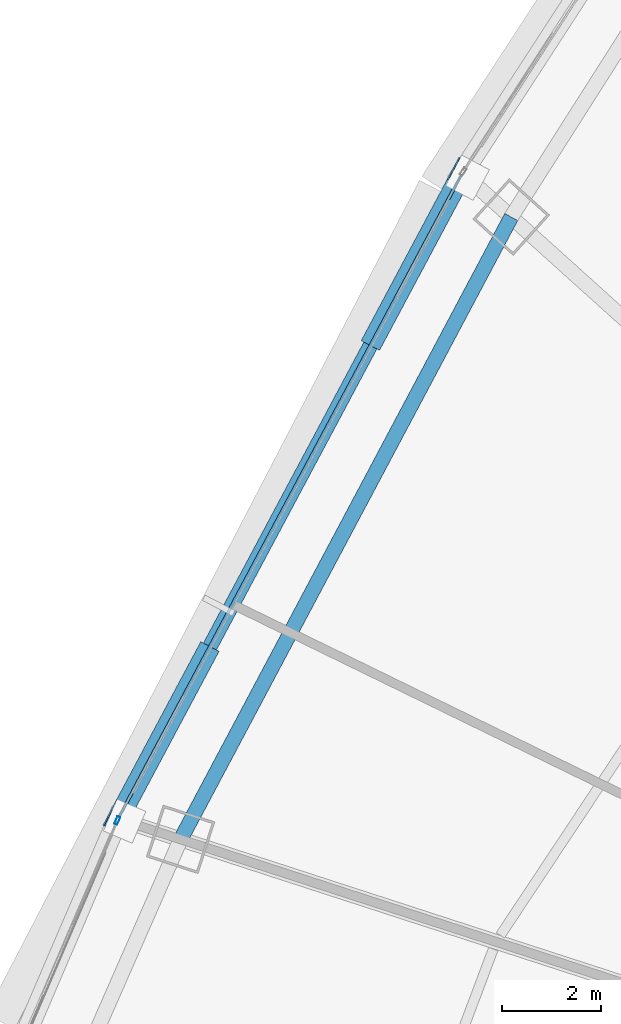
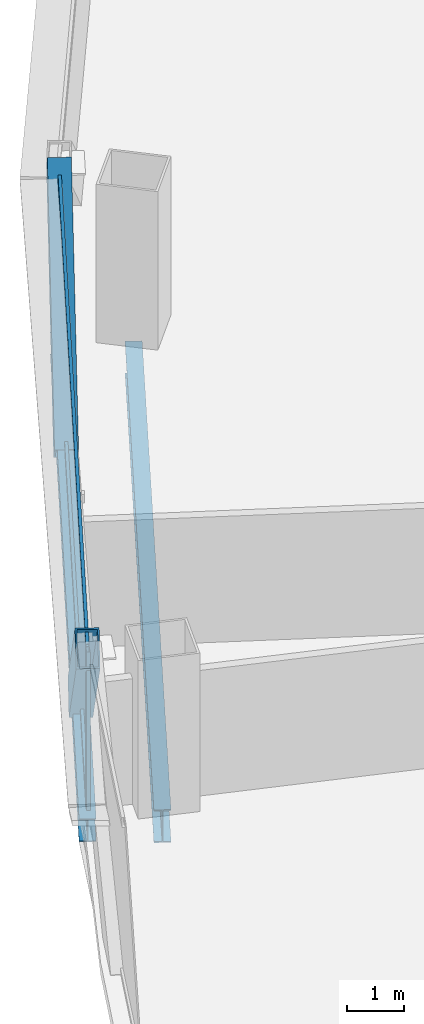
# One storey, part 14 of 37: 5 members, 2 beams, 2 elements without a shape of their own.
"""IFC4 building model written with IfcOpenShell, lengths in metres."""

from ifc_helpers import new_model, si_unit, direction, frame, origin, origin_2d, place, context, subcontext, project, spatial, hollow_rectangle, i_section, extrude, source, transform, mapped, material, layer, layer_set, material_profile, profile_set, type_object, element, aggregate, save


model = new_model("IFC4")

# Units and contexts
model_context = context("Model", 3, precision=1e-05, world=origin(), true_north=direction((0.0, 1.0)))
body_context = subcontext(model_context, "Body", "Model", "MODEL_VIEW")
ifc_project = project(units=[si_unit("LENGTHUNIT", "METRE"), si_unit("AREAUNIT", "SQUARE_METRE"), si_unit("VOLUMEUNIT", "CUBIC_METRE"), si_unit("PLANEANGLEUNIT", "RADIAN"), si_unit("MASSUNIT", "GRAM", prefix="KILO"), si_unit("THERMODYNAMICTEMPERATUREUNIT", "KELVIN"), si_unit("POWERUNIT", "WATT")], contexts=[model_context])

# Site, building, storey
site_placement = place(None, origin())
site = spatial("IfcSite", under=ifc_project, at=site_placement, CompositionType="ELEMENT")
building_placement = place(site_placement, origin())
building = spatial("IfcBuilding", under=site, at=building_placement, Name="Yunzhuo Pagoda Commons", CompositionType="ELEMENT")
storey_placement = place(building_placement, frame((0.0, 0.0, 59.43994140625)))
storey = spatial("IfcBuildingStorey", under=building, at=storey_placement, Name="L15", CompositionType="ELEMENT", Elevation=59.43994140625)

# Beams
ifc_material_1 = material(Name="Structural steel Q355B", Category="steel")
ifc_material_profile_1 = material_profile(ifc_material_1, i_section(OverallWidth=0.300048828125, OverallDepth=0.699951171875, WebThickness=0.012939453125, FlangeThickness=0.02392578125, at=origin_2d()), Name="Structural steel Q355B")
ifc_profile_set_1 = profile_set([ifc_material_profile_1], Name="Structural steel Q355B")
beam_type_1 = type_object("IfcBeamType", Name="B-RG1 Beam HN 700x300x13x24", PredefinedType="BEAM", material=ifc_profile_set_1)
shared_shape_1 = source(origin(), body_context, "Body", "SweptSolid", [
    extrude(i_section(OverallWidth=0.300048828125, OverallDepth=0.699951171875, WebThickness=0.012939453125, FlangeThickness=0.02392578125, at=origin_2d()), origin(), (0.0, 0.0, 1.0), 14.25390625),
])
beam_1_placement = place(storey_placement, frame((22.351318359375, 56.79443359375, -0.60986328125), z_axis=(-0.469118073628, -0.883135455633, 0.0), x_axis=(0.883135455633, -0.469118073628, 0.0)))
element("IfcBeam", 1, at=beam_1_placement, inside=storey, type_object=beam_type_1, Name="L15 column-ring beam 10", PredefinedType="BEAM", context=body_context, shape_type="MappedRepresentation", body=[
    mapped(shared_shape_1, transform((0.0, 0.0, 0.0), scale=1.0)),
])
ifc_material_profile_2 = material_profile(ifc_material_1, i_section(OverallWidth=0.300048828125, OverallDepth=0.488037109375, WebThickness=0.010986328125, FlangeThickness=0.01806640625, at=origin_2d()), Name="Structural steel Q355B")
ifc_profile_set_2 = profile_set([ifc_material_profile_2], Name="Structural steel Q355B")
beam_type_2 = type_object("IfcBeamType", Name="B-SP1 Beam HM 488x300x11x18", PredefinedType="BEAM", material=ifc_profile_set_2)
shared_shape_2 = source(origin(), body_context, "Body", "SweptSolid", [
    extrude(i_section(OverallWidth=0.300048828125, OverallDepth=0.488037109375, WebThickness=0.010986328125, FlangeThickness=0.01806640625, at=origin_2d()), origin(), (0.0, 0.0, 1.0), 14.806884765625),
])
beam_2_placement = place(storey_placement, frame((21.36181640625, 57.68505859375, -0.50390625), z_axis=(-0.470363145456, -0.882472952218, 0.0), x_axis=(0.882472952218, -0.470363145456, 0.0)))
element("IfcBeam", 2, at=beam_2_placement, inside=storey, type_object=beam_type_2, Name="L15 facade edge spandrel beam F3.2", PredefinedType="BEAM", context=body_context, shape_type="MappedRepresentation", body=[
    mapped(shared_shape_2, transform((0.0, 0.0, 0.0), scale=1.0)),
])

# Members
ifc_material_2 = material(Name="Structural steel Q420B", Category="steel")
ifc_material_profile_3 = material_profile(ifc_material_2, hollow_rectangle(XDim=0.419921875, YDim=0.719970703125, WallThickness=0.028076171875, at=origin_2d()), Name="Structural steel Q420B")
ifc_profile_set_3 = profile_set([ifc_material_profile_3], Name="Structural steel Q420B")
member_type_1 = type_object("IfcMemberType", Name="M-DL1 Brace BOX 720x420x28", PredefinedType="BRACE", material=ifc_profile_set_3)
shared_shape_3 = source(origin(), body_context, "Body", "SweptSolid", [
    extrude(hollow_rectangle(XDim=0.419921875, YDim=0.719970703125, WallThickness=0.028076171875, at=origin_2d()), origin(), (0.0, 0.0, 1.0), 5.1845703125),
])
for number, where, z_axis, x_axis, name in (
    (3, (19.620849609375, 54.41845703125, -0.260009765625), (0.33579955389, 0.630065633299, 0.700182802804), (-0.88248983647, 0.470331466657, 0.0), "L15 facade diamond brace F3.2L"),
    (4, (16.13818359375, 47.885009765625, -0.260009765625), (-0.33579955389, -0.630065633299, 0.700182802804), (0.88248983647, -0.470331466657, 0.0), "L15 facade diamond brace F3.2R"),
):
    element("IfcMember", number, at=place(storey_placement, frame(where, z_axis=z_axis, x_axis=x_axis)), inside=storey, type_object=member_type_1, Name=name, PredefinedType="BRACE", context=body_context, shape_type="MappedRepresentation", body=[
        mapped(shared_shape_3, transform((0.0, 0.0, 0.0), scale=1.0)),
    ])

# Curtain wall, member
ifc_material_3 = material(Name="Anodized aluminium 6063-T6", Category="aluminium")
ifc_layer = layer(ifc_material_3, 0.1650390625)
ifc_layer_set = layer_set([ifc_layer], Name="Anodized aluminium 6063-T6")
curtain_wall_type = type_object("IfcCurtainWallType", Name="CW-LOW Low-Zone Ribbon Curtain Wall", PredefinedType="NOTDEFINED", material=ifc_layer_set)
curtain_wall_1_placement = place(storey_placement, origin())
curtain_wall_1 = element("IfcCurtainWall", 5, at=curtain_wall_1_placement, inside=storey, type_object=curtain_wall_type, Name="L15 curtain wall CW-L15-F3B4", PredefinedType="NOTDEFINED")
ifc_material_profile_4 = material_profile(ifc_material_3, hollow_rectangle(XDim=0.06494140625, YDim=0.1650390625, WallThickness=0.00390625, at=origin_2d()), Name="Anodized aluminium 6063-T6")
ifc_profile_set_4 = profile_set([ifc_material_profile_4], Name="Anodized aluminium 6063-T6")
member_type_2 = type_object("IfcMemberType", Name="CW-LOW-M Mullion RHS 165x65x4", PredefinedType="MULLION", material=ifc_profile_set_4)
shared_shape_4 = source(origin(), body_context, "Body", "SweptSolid", [
    extrude(hollow_rectangle(XDim=0.06494140625, YDim=0.1650390625, WallThickness=0.00390625, at=origin_2d()), origin(), (0.0, 0.0, 1.0), 3.3701171875),
])
member_1_placement = place(storey_placement, frame((14.38427734375, 44.58837890625, 0.0), z_axis=(0.0, 0.0, 1.0), x_axis=(0.918993139703, -0.394273520769, 0.0)))
member_1 = element("IfcMember", 6, at=member_1_placement, type_object=member_type_2, Name="CW mullion 1", PredefinedType="MULLION", context=body_context, shape_type="MappedRepresentation", body=[
    mapped(shared_shape_4, transform((0.0, 0.0, 0.0), scale=1.0)),
])
aggregate(curtain_wall_1, [member_1])

# Curtain wall, members
curtain_wall_2_placement = place(storey_placement, origin())
curtain_wall_2 = element("IfcCurtainWall", 7, at=curtain_wall_2_placement, inside=storey, type_object=curtain_wall_type, Name="L15 curtain wall CW-L15-F3B3", PredefinedType="NOTDEFINED")
ifc_material_profile_5 = material_profile(ifc_material_3, hollow_rectangle(XDim=0.06005859375, YDim=0.139892578125, WallThickness=0.00341796875, at=origin_2d()), Name="Anodized aluminium 6063-T6")
ifc_profile_set_5 = profile_set([ifc_material_profile_5], Name="Anodized aluminium 6063-T6")
member_type_3 = type_object("IfcMemberType", Name="CW-LOW-T Transom RHS 140x60x3.5", PredefinedType="USERDEFINED", material=ifc_profile_set_5)
shared_shape_5 = source(origin(), body_context, "Body", "SweptSolid", [
    extrude(hollow_rectangle(XDim=0.06005859375, YDim=0.139892578125, WallThickness=0.00341796875, at=origin_2d()), origin(), (0.0, 0.0, 1.0), 14.677001953125),
])
member_2_placement = place(storey_placement, frame((21.331298828125, 57.6279296875, 0.030029296875), z_axis=(-0.470362882364, -0.882473092448, 0.0), x_axis=(0.882473092448, -0.470362882364, 0.0)))
member_2 = element("IfcMember", 8, at=member_2_placement, type_object=member_type_3, Name="CW transom 1.1", ObjectType="TRANSOM", PredefinedType="USERDEFINED", context=body_context, shape_type="MappedRepresentation", body=[
    mapped(shared_shape_5, transform((0.0, 0.0, 0.0), scale=1.0)),
])
member_3_placement = place(storey_placement, frame((21.331298828125, 57.6279296875, 3.340087890625), z_axis=(-0.470362882364, -0.882473092448, 0.0), x_axis=(0.882473092448, -0.470362882364, 0.0)))
member_3 = element("IfcMember", 9, at=member_3_placement, type_object=member_type_3, Name="CW transom 1.2", ObjectType="TRANSOM", PredefinedType="USERDEFINED", context=body_context, shape_type="MappedRepresentation", body=[
    mapped(shared_shape_5, transform((0.0, 0.0, 0.0), scale=1.0)),
])
aggregate(curtain_wall_2, [member_2, member_3])

save(model, "model.ifc")
